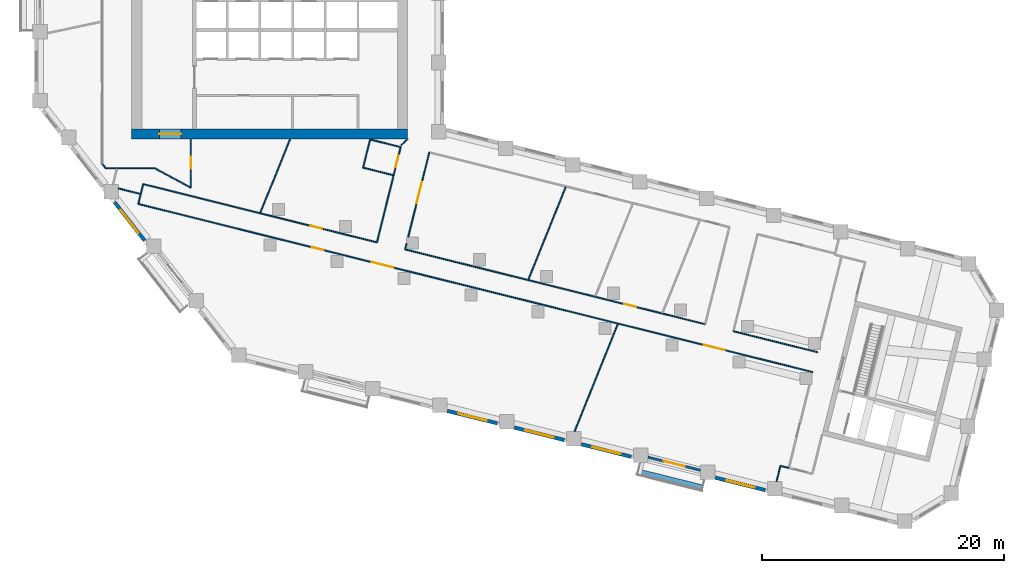
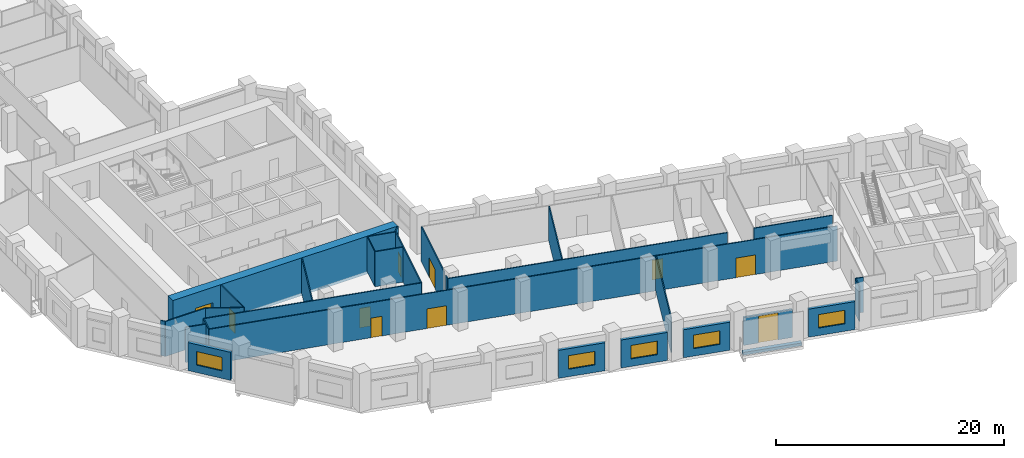
# One storey, part 3 of 10: 30 walls, 10 doors, 5 windows, 15 openings.
"""IFC4 building model written with IfcOpenShell, lengths in metres."""

import ifcopenshell
import ifcopenshell.guid

model = None  # the IFC model being written
_history = None  # IfcOwnerHistory: only IFC2X3 demands one
_inside = {}  # id of a spatial element -> (the spatial element, [elements in it])
_under = {}  # id of a project, library or spatial element -> (it, [spatial elements below it])
_declared = {}  # id of a project -> (the project, [libraries it declares])
_typed = {}  # id of a type object -> (the type object, [elements of that type])
_made_of = {}  # id of a material, layer set ... -> (it, [elements and type objects made of it])


def new_model(schema):
    """Start an empty IFC model of exactly this schema.

    Asked for "IFC4X3", IfcOpenShell would pick the latest addendum, in which some entities
    have other attributes; the version numbers below select the first issue.
    IFC2X3 requires an IfcOwnerHistory on every rooted entity: one is made here for all.
    """
    global model, _history
    if schema == "IFC4X3":
        model = ifcopenshell.file(schema_version=(4, 3, 0, 0))
    else:
        model = ifcopenshell.file(schema=schema)
    _inside.clear()
    _under.clear()
    _declared.clear()
    _typed.clear()
    _made_of.clear()
    _history = None
    if model.schema == "IFC2X3":
        org = make("IfcOrganization", Name="unknown")
        user = make(
            "IfcPersonAndOrganization",
            ThePerson=make("IfcPerson", FamilyName="unknown"),
            TheOrganization=org,
        )
        app = make(
            "IfcApplication",
            ApplicationDeveloper=org,
            Version="unknown",
            ApplicationFullName="unknown",
            ApplicationIdentifier="unknown",
        )
        _history = make(
            "IfcOwnerHistory",
            OwningUser=user,
            OwningApplication=app,
            ChangeAction="ADDED",
            CreationDate=0,
        )
    return model


def make(cls, **values):
    """One entity of the class cls with the attributes given. An attribute that is None is left unset."""
    return model.create_entity(
        cls, **{name: value for name, value in values.items() if value is not None}
    )


def rooted(cls, **values):
    """An entity with a GlobalId (a new one), such as an element, a storey or a relation."""
    return make(cls, GlobalId=ifcopenshell.guid.new(), OwnerHistory=_history, **values)


def si_unit(unit_type, name, prefix=None):
    """IfcSIUnit, for example si_unit("LENGTHUNIT", "METRE", prefix="MILLI")."""
    return make("IfcSIUnit", UnitType=unit_type, Prefix=prefix, Name=name)


def assignment(units):
    """IfcUnitAssignment: the units of a project."""
    return None if units is None else make("IfcUnitAssignment", Units=units)


def point(xyz):
    """IfcCartesianPoint."""
    return None if xyz is None else make("IfcCartesianPoint", Coordinates=xyz)


def direction(xyz):
    """IfcDirection."""
    return None if xyz is None else make("IfcDirection", DirectionRatios=xyz)


def frame(location, z_axis=None, x_axis=None):
    """IfcAxis2Placement3D, a coordinate frame: its origin and axes. An axis left out is left unset."""
    return make(
        "IfcAxis2Placement3D",
        Location=point(location),
        Axis=direction(z_axis),
        RefDirection=direction(x_axis),
    )


def frame_2d(location, x_axis=None):
    """IfcAxis2Placement2D, a coordinate frame in the plane: its origin and x axis."""
    return make(
        "IfcAxis2Placement2D", Location=point(location), RefDirection=direction(x_axis)
    )


def origin():
    """The frame at (0, 0, 0) with its axes left unset."""
    return frame((0.0, 0.0, 0.0))


def place(relative_to, where):
    """IfcLocalPlacement: puts the frame where relative to a parent placement (None: the world)."""
    return make(
        "IfcLocalPlacement", PlacementRelTo=relative_to, RelativePlacement=where
    )


def context(
    kind, dimensions, precision=None, world=None, true_north=None, identifier=None
):
    """IfcGeometricRepresentationContext, for example the 3D "Model" context."""
    return make(
        "IfcGeometricRepresentationContext",
        ContextIdentifier=identifier,
        ContextType=kind,
        CoordinateSpaceDimension=dimensions,
        Precision=precision,
        WorldCoordinateSystem=world,
        TrueNorth=true_north,
    )


def subcontext(parent, identifier, kind, view, scale=None):
    """IfcGeometricRepresentationSubContext, for example "Body" below "Model"."""
    return make(
        "IfcGeometricRepresentationSubContext",
        ContextIdentifier=identifier,
        ContextType=kind,
        ParentContext=parent,
        TargetScale=scale,
        TargetView=view,
    )


def project(units=None, contexts=None):
    """IfcProject with its units and contexts."""
    return rooted(
        "IfcProject",
        Name="project",
        RepresentationContexts=contexts,
        UnitsInContext=assignment(units),
    )


def spatial(cls, under=None, at=None, **own):
    """A site, building, storey or space (cls), placed at a placement, below another one or the project."""
    s = rooted(cls, ObjectPlacement=at, **own)
    if under is not None:
        _under.setdefault(under.id(), (under, []))[1].append(s)
    return s


def profile(cls, at=None, kind="AREA", **sizes):
    """A parametric profile (cls). Its sizes go by their IFC names, for example OverallWidth=200.0."""
    return make(cls, ProfileType=kind, Position=at, **sizes)


def rectangle(**sizes):
    """IfcRectangleProfileDef."""
    return profile("IfcRectangleProfileDef", **sizes)


def extrude(swept, where, along, depth):
    """IfcExtrudedAreaSolid: the profile swept, set in the frame where, extruded along a direction by depth."""
    return make(
        "IfcExtrudedAreaSolid",
        SweptArea=swept,
        Position=where,
        ExtrudedDirection=direction(along),
        Depth=depth,
    )


def shape(context_of_items, identifier, shape_type, items):
    """IfcShapeRepresentation: the items that make up one representation, for example the "Body"."""
    return make(
        "IfcShapeRepresentation",
        ContextOfItems=context_of_items,
        RepresentationIdentifier=identifier,
        RepresentationType=shape_type,
        Items=items,
    )


def material(Name=None, Category=None):
    """IfcMaterial."""
    return make("IfcMaterial", Name=Name, Category=Category)


def layer(
    of_material, thickness, ventilated=None, Name=None, Category=None, Priority=None
):
    """IfcMaterialLayer: one layer of a wall or slab, of a material (None: an air gap)."""
    return make(
        "IfcMaterialLayer",
        Material=of_material,
        LayerThickness=thickness,
        IsVentilated=ventilated,
        Name=Name,
        Category=Category,
        Priority=Priority,
    )


def layer_set(layers, Name=None):
    """IfcMaterialLayerSet."""
    return make("IfcMaterialLayerSet", MaterialLayers=layers, LayerSetName=Name)


def made_of(thing, what):
    """Note that an element or type object is made of a material, layer set ...; save() writes the relation."""
    if what is not None:
        _made_of.setdefault(what.id(), (what, []))[1].append(thing)
    return thing


def type_object(cls, material=None, **own):
    """A type object (cls), such as IfcWallType, which elements share."""
    return made_of(rooted(cls, **own), material)


def element(
    cls,
    number,
    at=None,
    inside=None,
    cuts=None,
    type_object=None,
    material=None,
    context=None,
    identifier="Body",
    shape_type=None,
    held_by="IfcProductDefinitionShape",
    body=None,
    shapes=None,
    **own,
):
    """One element of the class cls, such as IfcWall. Its Tag is "e" and its number.

    at: its placement. inside: the storey or other place that contains it. cuts: it is an
    opening in that element (IfcRelVoidsElement). A single representation is given by context,
    identifier, shape_type and body (its items); several are given by shapes. held_by: the class
    of the entity that holds the representations. save() writes the other relations.
    """
    e = rooted(cls, Tag="e%d" % number, ObjectPlacement=at, **own)
    if body is not None:
        shapes = [shape(context, identifier, shape_type, body)]
    if shapes is not None:
        e.Representation = make(held_by, Representations=shapes)
    if inside is not None:
        _inside.setdefault(inside.id(), (inside, []))[1].append(e)
    if cuts is not None:
        rooted(
            "IfcRelVoidsElement", RelatingBuildingElement=cuts, RelatedOpeningElement=e
        )
    if type_object is not None:
        _typed.setdefault(type_object.id(), (type_object, []))[1].append(e)
    return made_of(e, material)


def fill(opening, filler):
    """IfcRelFillsElement: the door or window that sits in an opening."""
    return rooted(
        "IfcRelFillsElement",
        RelatingOpeningElement=opening,
        RelatedBuildingElement=filler,
    )


def aggregate(whole, parts):
    """IfcRelAggregates: a whole, such as a stair, and the parts it consists of."""
    return rooted("IfcRelAggregates", RelatingObject=whole, RelatedObjects=parts)


def save(model, path):
    """Write the relations noted so far, then the file.

    IfcRelAggregates (storeys below a building ...), IfcRelContainedInSpatialStructure (elements
    in a storey), IfcRelDefinesByType, IfcRelAssociatesMaterial and IfcRelDeclares: one each for
    every whole, place, type object, material and project.
    """
    for whole, parts in _under.values():
        aggregate(whole, parts)
    for where, things in _inside.values():
        rooted(
            "IfcRelContainedInSpatialStructure",
            RelatedElements=things,
            RelatingStructure=where,
        )
    for kind, things in _typed.values():
        rooted("IfcRelDefinesByType", RelatedObjects=things, RelatingType=kind)
    for what, things in _made_of.values():
        rooted("IfcRelAssociatesMaterial", RelatedObjects=things, RelatingMaterial=what)
    for by, libraries in _declared.values():
        rooted("IfcRelDeclares", RelatingContext=by, RelatedDefinitions=libraries)
    model.write(path)


model = new_model("IFC4")

# Units and contexts
model_context = context("Model", 3, precision=1e-05, world=origin(), true_north=direction((0.0, 1.0)))
body_context = subcontext(model_context, "Body", "Model", "MODEL_VIEW")
ifc_project = project(units=[si_unit("LENGTHUNIT", "METRE"), si_unit("AREAUNIT", "SQUARE_METRE"), si_unit("VOLUMEUNIT", "CUBIC_METRE"), si_unit("PLANEANGLEUNIT", "RADIAN"), si_unit("MASSUNIT", "GRAM", prefix="KILO")], contexts=[model_context])

# Site, building, storey
site_placement = place(None, origin())
site = spatial("IfcSite", under=ifc_project, at=site_placement, CompositionType="ELEMENT")
building_placement = place(site_placement, origin())
building = spatial("IfcBuilding", under=site, at=building_placement, Name="Meshkara Civic Tower", CompositionType="ELEMENT")
storey_placement = place(building_placement, frame((0.0, 0.0, 216.0)))
storey = spatial("IfcBuildingStorey", under=building, at=storey_placement, Name="L49", CompositionType="ELEMENT", Elevation=216.0)

# Wall, opening, door
ifc_material_1 = material(Name="Concrete C70", Category="concrete")
ifc_layer_1 = layer(ifc_material_1, 0.85009765625)
ifc_layer_set_1 = layer_set([ifc_layer_1], Name="Core ring wall 850 C70")
wall_type_1 = type_object("IfcWallType", Name="Core ring wall 850 C70", PredefinedType="SHEAR", material=ifc_layer_set_1)
wall_1_placement = place(storey_placement, frame((8.0, 14.52490234375, -0.300048828125), z_axis=(0.0, 0.0, 1.0), x_axis=(1.0, 0.0, 0.0)))
wall_1 = element("IfcWall", 1, at=wall_1_placement, inside=storey, type_object=wall_type_1, Name="L49-C001", PredefinedType="SHEAR", context=body_context, shape_type="SweptSolid", body=[
    extrude(rectangle(XDim=22.800048828125, YDim=0.85009765625, at=frame_2d((11.39990234375, 0.0))), origin(), (0.0, 0.0, 1.0), 4.050048828125),
])
opening_1_placement = place(wall_1_placement, frame((2.300048828125, 0.0, 0.300048828125)))
opening_1 = element("IfcOpeningElement", 2, at=opening_1_placement, cuts=wall_1, Name="Opening L49-K021", PredefinedType="OPENING", context=body_context, shape_type="SweptSolid", body=[
    extrude(rectangle(XDim=1.800048828125, YDim=2.10009765625, at=frame_2d((0.89990234375, 1.050048828125))), frame((0.0, 0.43505859375, 0.0), z_axis=(0.0, -1.0, 0.0), x_axis=(1.0, 0.0, 0.0)), (0.0, 0.0, 1.0), 0.8701171875),
])
ifc_material_2 = material(Name="Fire-rated door leaf in steel frame", Category="steel")
door_type_1 = type_object("IfcDoorType", Name="Core double door 1800 EI 60", OperationType="DOUBLE_DOOR_SINGLE_SWING", PredefinedType="DOOR", material=ifc_material_2)
door_1_placement = place(opening_1_placement, origin())
door_1 = element("IfcDoor", 3, at=door_1_placement, inside=storey, type_object=door_type_1, Name="L49-K021", OperationType="DOUBLE_DOOR_SINGLE_SWING", OverallHeight=2.10009765625, OverallWidth=1.800048828125, PredefinedType="DOOR", context=body_context, shape_type="SweptSolid", body=[
    extrude(rectangle(XDim=1.800048828125, YDim=2.10009765625, at=frame_2d((0.89990234375, 1.050048828125))), frame((0.0, 0.02490234375, 0.0), z_axis=(0.0, -1.0, 0.0), x_axis=(1.0, 0.0, 0.0)), (0.0, 0.0, 1.0), 0.050048828125),
])
fill(opening_1, door_1)

# Walls
ifc_material_3 = material(Name="Corridor wall 100")
ifc_layer_2 = layer(ifc_material_3, 0.10009765625)
ifc_layer_set_2 = layer_set([ifc_layer_2], Name="Corridor wall 100")
wall_type_2 = type_object("IfcWallType", Name="Corridor wall 100", PredefinedType="PARTITIONING", material=ifc_layer_set_2)
wall_2_placement = place(storey_placement, frame((5.60009765625, 12.04296875, 0.0), z_axis=(0.0, 0.0, 1.0), x_axis=(0.615415398102, -0.788202948344, 0.0)))
element("IfcWall", 4, at=wall_2_placement, inside=storey, type_object=wall_type_2, Name="L49-W004", PredefinedType="PARTITIONING", context=body_context, shape_type="SweptSolid", body=[
    extrude(rectangle(XDim=0.435302734375, YDim=0.10009765625, at=frame_2d((0.2177734375, 0.0))), origin(), (0.0, 0.0, 1.0), 3.75),
])
wall_3_placement = place(storey_placement, frame((5.867919921875, 11.699951171875, 0.0), z_axis=(0.0, 0.0, 1.0), x_axis=(1.0, 0.0, 0.0)))
element("IfcWall", 5, at=wall_3_placement, inside=storey, type_object=wall_type_2, Name="L49-W006", PredefinedType="PARTITIONING", context=body_context, shape_type="SweptSolid", body=[
    extrude(rectangle(XDim=4.031982421875, YDim=0.10009765625, at=frame_2d((2.01611328125, 0.0))), origin(), (0.0, 0.0, 1.0), 3.75),
])

# Wall, openings, doors
wall_4_placement = place(storey_placement, frame((8.56494140625, 8.743896484375, 0.0), z_axis=(0.0, 0.0, 1.0), x_axis=(0.970296742948, -0.241917817915, 0.0)))
wall_4 = element("IfcWall", 6, at=wall_4_placement, inside=storey, type_object=wall_type_2, Name="L49-W008", PredefinedType="PARTITIONING", context=body_context, shape_type="SweptSolid", body=[
    extrude(rectangle(XDim=57.374267578125, YDim=0.10009765625, at=frame_2d((28.68701171875, 0.0))), origin(), (0.0, 0.0, 1.0), 3.75),
])
opening_2_placement = place(wall_4_placement, frame((48.091064453125, 0.0, 0.0)))
opening_2 = element("IfcOpeningElement", 7, at=opening_2_placement, cuts=wall_4, Name="Opening L49-D003", PredefinedType="OPENING", context=body_context, shape_type="SweptSolid", body=[
    extrude(rectangle(XDim=1.800048828125, YDim=2.10009765625, at=frame_2d((0.89990234375, 1.050048828125))), frame((0.0, 0.06005859375, 0.0), z_axis=(0.0, -1.0, 0.0), x_axis=(1.0, 0.0, 0.0)), (0.0, 0.0, 1.0), 0.1201171875),
])
opening_3_placement = place(wall_4_placement, frame((14.780029296875, 0.0, 0.0)))
opening_3 = element("IfcOpeningElement", 8, at=opening_3_placement, cuts=wall_4, Name="Opening L49-D004", PredefinedType="OPENING", context=body_context, shape_type="SweptSolid", body=[
    extrude(rectangle(XDim=1.0, YDim=2.10009765625, at=frame_2d((0.5, 1.050048828125))), frame((0.0, 0.06005859375, 0.0), z_axis=(0.0, -1.0, 0.0), x_axis=(1.0, 0.0, 0.0)), (0.0, 0.0, 1.0), 0.1201171875),
])
opening_4_placement = place(wall_4_placement, frame((19.8798828125, 0.0, 0.0)))
opening_4 = element("IfcOpeningElement", 9, at=opening_4_placement, cuts=wall_4, Name="Opening L49-D005", PredefinedType="OPENING", context=body_context, shape_type="SweptSolid", body=[
    extrude(rectangle(XDim=1.800048828125, YDim=2.10009765625, at=frame_2d((0.89990234375, 1.050048828125))), frame((0.0, 0.06005859375, 0.0), z_axis=(0.0, -1.0, 0.0), x_axis=(1.0, 0.0, 0.0)), (0.0, 0.0, 1.0), 0.1201171875),
])
ifc_material_4 = material(Name="Door 1000 x 2100")
door_type_2 = type_object("IfcDoorType", Name="Door 1000 x 2100", OperationType="SINGLE_SWING_LEFT", PredefinedType="DOOR", material=ifc_material_4)
door_2_placement = place(opening_3_placement, origin())
door_2 = element("IfcDoor", 10, at=door_2_placement, inside=storey, type_object=door_type_2, Name="L49-D004", OperationType="SINGLE_SWING_RIGHT", OverallHeight=2.10009765625, OverallWidth=1.0, PredefinedType="DOOR", context=body_context, shape_type="SweptSolid", body=[
    extrude(rectangle(XDim=1.0, YDim=2.10009765625, at=frame_2d((0.5, 1.050048828125))), frame((0.0, 0.02490234375, 0.0), z_axis=(0.0, -1.0, 0.0), x_axis=(1.0, 0.0, 0.0)), (0.0, 0.0, 1.0), 0.050048828125),
])
fill(opening_3, door_2)
ifc_material_5 = material(Name="Door pair 1800 x 2100")
door_type_3 = type_object("IfcDoorType", Name="Door pair 1800 x 2100", OperationType="SINGLE_SWING_LEFT", PredefinedType="DOOR", material=ifc_material_5)
door_3_placement = place(opening_2_placement, origin())
door_3 = element("IfcDoor", 11, at=door_3_placement, inside=storey, type_object=door_type_3, Name="L49-D003", OperationType="DOUBLE_DOOR_SINGLE_SWING", OverallHeight=2.10009765625, OverallWidth=1.800048828125, PredefinedType="DOOR", context=body_context, shape_type="SweptSolid", body=[
    extrude(rectangle(XDim=1.800048828125, YDim=2.10009765625, at=frame_2d((0.89990234375, 1.050048828125))), frame((0.0, 0.02490234375, 0.0), z_axis=(0.0, -1.0, 0.0), x_axis=(1.0, 0.0, 0.0)), (0.0, 0.0, 1.0), 0.050048828125),
])
fill(opening_2, door_3)
door_4_placement = place(opening_4_placement, origin())
door_4 = element("IfcDoor", 12, at=door_4_placement, inside=storey, type_object=door_type_3, Name="L49-D005", OperationType="DOUBLE_DOOR_SINGLE_SWING", OverallHeight=2.10009765625, OverallWidth=1.800048828125, PredefinedType="DOOR", context=body_context, shape_type="SweptSolid", body=[
    extrude(rectangle(XDim=1.800048828125, YDim=2.10009765625, at=frame_2d((0.89990234375, 1.050048828125))), frame((0.0, 0.02490234375, 0.0), z_axis=(0.0, -1.0, 0.0), x_axis=(1.0, 0.0, 0.0)), (0.0, 0.0, 1.0), 0.050048828125),
])
fill(opening_4, door_4)

# Wall, opening, door
wall_5_placement = place(storey_placement, frame((8.972900390625, 10.382080078125, 0.0), z_axis=(0.0, 0.0, 1.0), x_axis=(0.970286808807, -0.241957658808, 0.0)))
wall_5 = element("IfcWall", 13, at=wall_5_placement, inside=storey, type_object=wall_type_2, Name="L49-W009", PredefinedType="PARTITIONING", context=body_context, shape_type="SweptSolid", body=[
    extrude(rectangle(XDim=19.879638671875, YDim=0.10009765625, at=frame_2d((9.93994140625, 0.0))), origin(), (0.0, 0.0, 1.0), 3.75),
])
opening_5_placement = place(wall_5_placement, frame((14.22509765625, 0.0, 0.0)))
opening_5 = element("IfcOpeningElement", 14, at=opening_5_placement, cuts=wall_5, Name="Opening L49-D009", PredefinedType="OPENING", context=body_context, shape_type="SweptSolid", body=[
    extrude(rectangle(XDim=1.0, YDim=2.10009765625, at=frame_2d((0.5, 1.050048828125))), frame((0.0, 0.06005859375, 0.0), z_axis=(0.0, -1.0, 0.0), x_axis=(1.0, 0.0, 0.0)), (0.0, 0.0, 1.0), 0.1201171875),
])
door_5_placement = place(opening_5_placement, origin())
door_5 = element("IfcDoor", 15, at=door_5_placement, inside=storey, type_object=door_type_2, Name="L49-D009", OperationType="SINGLE_SWING_LEFT", OverallHeight=2.10009765625, OverallWidth=1.0, PredefinedType="DOOR", context=body_context, shape_type="SweptSolid", body=[
    extrude(rectangle(XDim=1.0, YDim=2.10009765625, at=frame_2d((0.5, 1.050048828125))), frame((0.0, 0.02490234375, 0.0), z_axis=(0.0, -1.0, 0.0), x_axis=(1.0, 0.0, 0.0)), (0.0, 0.0, 1.0), 0.050048828125),
])
fill(opening_5, door_5)

# Walls
wall_6_placement = place(storey_placement, frame((8.972900390625, 10.382080078125, 0.0), z_axis=(0.0, 0.0, 1.0), x_axis=(-0.241650823739, -0.970363271866, 0.0)))
element("IfcWall", 16, at=wall_6_placement, inside=storey, type_object=wall_type_2, Name="L49-W010", PredefinedType="PARTITIONING", context=body_context, shape_type="SweptSolid", body=[
    extrude(rectangle(XDim=1.688232421875, YDim=0.10009765625, at=frame_2d((0.84423828125, 0.0))), origin(), (0.0, 0.0, 1.0), 3.75),
])
wall_7_placement = place(storey_placement, frame((9.89990234375, 11.699951171875, 0.0), z_axis=(0.0, 0.0, 1.0), x_axis=(0.87965147249, -0.475618846291, 0.0)))
element("IfcWall", 17, at=wall_7_placement, inside=storey, type_object=wall_type_2, Name="L49-W011", PredefinedType="PARTITIONING", context=body_context, shape_type="SweptSolid", body=[
    extrude(rectangle(XDim=3.410400390625, YDim=0.10009765625, at=frame_2d((1.705078125, 0.0))), origin(), (0.0, 0.0, 1.0), 3.75),
])

# Wall, opening, door
wall_8_placement = place(storey_placement, frame((12.89990234375, 10.077880859375, 0.0), z_axis=(0.0, 0.0, 1.0), x_axis=(0.0, 1.0, 0.0)))
wall_8 = element("IfcWall", 18, at=wall_8_placement, inside=storey, type_object=wall_type_2, Name="L49-W016", PredefinedType="PARTITIONING", context=body_context, shape_type="SweptSolid", body=[
    extrude(rectangle(XDim=4.022216796875, YDim=0.10009765625, at=frame_2d((2.01123046875, 0.0))), origin(), (0.0, 0.0, 1.0), 3.75),
])
opening_6_placement = place(wall_8_placement, frame((1.580078125, 0.0, 0.0)))
opening_6 = element("IfcOpeningElement", 19, at=opening_6_placement, cuts=wall_8, Name="Opening L49-D013", PredefinedType="OPENING", context=body_context, shape_type="SweptSolid", body=[
    extrude(rectangle(XDim=1.0, YDim=2.10009765625, at=frame_2d((0.5, 1.050048828125))), frame((0.0, 0.06005859375, 0.0), z_axis=(0.0, -1.0, 0.0), x_axis=(1.0, 0.0, 0.0)), (0.0, 0.0, 1.0), 0.1201171875),
])
door_6_placement = place(opening_6_placement, origin())
door_6 = element("IfcDoor", 20, at=door_6_placement, inside=storey, type_object=door_type_2, Name="L49-D013", OperationType="SINGLE_SWING_LEFT", OverallHeight=2.10009765625, OverallWidth=1.0, PredefinedType="DOOR", context=body_context, shape_type="SweptSolid", body=[
    extrude(rectangle(XDim=1.0, YDim=2.10009765625, at=frame_2d((0.5, 1.050048828125))), frame((0.0, 0.02490234375, 0.0), z_axis=(0.0, -1.0, 0.0), x_axis=(1.0, 0.0, 0.0)), (0.0, 0.0, 1.0), 0.050048828125),
])
fill(opening_6, door_6)

wall_9_placement = place(storey_placement, frame((28.261962890625, 5.572021484375, 0.0), z_axis=(0.0, 0.0, 1.0), x_axis=(0.241919014237, 0.970296444676, 0.0)))
wall_9 = element("IfcWall", 21, at=wall_9_placement, inside=storey, type_object=wall_type_2, Name="L49-W026", PredefinedType="PARTITIONING", context=body_context, shape_type="SweptSolid", body=[
    extrude(rectangle(XDim=8.105712890625, YDim=0.10009765625, at=frame_2d((4.052734375, 0.0))), origin(), (0.0, 0.0, 1.0), 3.75),
])
opening_7_placement = place(wall_9_placement, frame((6.385986328125, 0.0, 0.0)))
opening_7 = element("IfcOpeningElement", 22, at=opening_7_placement, cuts=wall_9, Name="Opening L49-D014", PredefinedType="OPENING", context=body_context, shape_type="SweptSolid", body=[
    extrude(rectangle(XDim=1.0, YDim=2.10009765625, at=frame_2d((0.5, 1.050048828125))), frame((0.0, 0.06005859375, 0.0), z_axis=(0.0, -1.0, 0.0), x_axis=(1.0, 0.0, 0.0)), (0.0, 0.0, 1.0), 0.1201171875),
])
door_7_placement = place(opening_7_placement, origin())
door_7 = element("IfcDoor", 23, at=door_7_placement, inside=storey, type_object=door_type_2, Name="L49-D014", OperationType="SINGLE_SWING_LEFT", OverallHeight=2.10009765625, OverallWidth=1.0, PredefinedType="DOOR", context=body_context, shape_type="SweptSolid", body=[
    extrude(rectangle(XDim=1.0, YDim=2.10009765625, at=frame_2d((0.5, 1.050048828125))), frame((0.0, 0.02490234375, 0.0), z_axis=(0.0, -1.0, 0.0), x_axis=(1.0, 0.0, 0.0)), (0.0, 0.0, 1.0), 0.050048828125),
])
fill(opening_7, door_7)

wall_10_placement = place(storey_placement, frame((30.590087890625, 4.991943359375, 0.0), z_axis=(0.0, 0.0, 1.0), x_axis=(0.97028916255, -0.241948219746, 0.0)))
wall_10 = element("IfcWall", 24, at=wall_10_placement, inside=storey, type_object=wall_type_2, Name="L49-W028", PredefinedType="PARTITIONING", context=body_context, shape_type="SweptSolid", body=[
    extrude(rectangle(XDim=25.526123046875, YDim=0.10009765625, at=frame_2d((12.76318359375, 0.0))), origin(), (0.0, 0.0, 1.0), 3.75),
])
opening_8_placement = place(wall_10_placement, frame((18.64599609375, 0.0, 0.0)))
opening_8 = element("IfcOpeningElement", 25, at=opening_8_placement, cuts=wall_10, Name="Opening L49-D006", PredefinedType="OPENING", context=body_context, shape_type="SweptSolid", body=[
    extrude(rectangle(XDim=1.0, YDim=2.10009765625, at=frame_2d((0.5, 1.050048828125))), frame((0.0, 0.06005859375, 0.0), z_axis=(0.0, -1.0, 0.0), x_axis=(1.0, 0.0, 0.0)), (0.0, 0.0, 1.0), 0.1201171875),
])
door_8_placement = place(opening_8_placement, origin())
door_8 = element("IfcDoor", 26, at=door_8_placement, inside=storey, type_object=door_type_2, Name="L49-D006", OperationType="SINGLE_SWING_RIGHT", OverallHeight=2.10009765625, OverallWidth=1.0, PredefinedType="DOOR", context=body_context, shape_type="SweptSolid", body=[
    extrude(rectangle(XDim=1.0, YDim=2.10009765625, at=frame_2d((0.5, 1.050048828125))), frame((0.0, 0.02490234375, 0.0), z_axis=(0.0, -1.0, 0.0), x_axis=(1.0, 0.0, 0.0)), (0.0, 0.0, 1.0), 0.050048828125),
])
fill(opening_8, door_8)

# Walls
wall_11_placement = place(storey_placement, frame((30.590087890625, 4.991943359375, 0.0), z_axis=(0.0, 0.0, 1.0), x_axis=(0.241731207299, 0.970343250308, 0.0)))
element("IfcWall", 27, at=wall_11_placement, inside=storey, type_object=wall_type_2, Name="L49-W029", PredefinedType="PARTITIONING", context=body_context, shape_type="SweptSolid", body=[
    extrude(rectangle(XDim=0.5, YDim=0.10009765625, at=frame_2d((0.25, 0.0))), origin(), (0.0, 0.0, 1.0), 3.75),
])
wall_12_placement = place(storey_placement, frame((30.800048828125, 14.10009765625, 0.0), z_axis=(0.0, 0.0, 1.0), x_axis=(-0.722911025189, -0.690941133281, 0.0)))
element("IfcWall", 28, at=wall_12_placement, inside=storey, type_object=wall_type_2, Name="L49-W030", PredefinedType="PARTITIONING", context=body_context, shape_type="SweptSolid", body=[
    extrude(rectangle(XDim=0.748291015625, YDim=0.10009765625, at=frame_2d((0.3740234375, 0.0))), origin(), (0.0, 0.0, 1.0), 3.75),
])

# Wall, opening, door
wall_13_placement = place(storey_placement, frame((30.844970703125, 6.012939453125, 0.0), z_axis=(0.0, 0.0, 1.0), x_axis=(0.241969354343, 0.97028389225, 0.0)))
wall_13 = element("IfcWall", 29, at=wall_13_placement, inside=storey, type_object=wall_type_2, Name="L49-W031", PredefinedType="PARTITIONING", context=body_context, shape_type="SweptSolid", body=[
    extrude(rectangle(XDim=7.203125, YDim=0.10009765625, at=frame_2d((3.6015625, 0.0))), origin(), (0.0, 0.0, 1.0), 3.75),
])
opening_9_placement = place(wall_13_placement, frame((2.8798828125, 0.0, 0.0)))
opening_9 = element("IfcOpeningElement", 30, at=opening_9_placement, cuts=wall_13, Name="Opening L49-D010", PredefinedType="OPENING", context=body_context, shape_type="SweptSolid", body=[
    extrude(rectangle(XDim=1.800048828125, YDim=2.10009765625, at=frame_2d((0.89990234375, 1.050048828125))), frame((0.0, 0.06005859375, 0.0), z_axis=(0.0, -1.0, 0.0), x_axis=(1.0, 0.0, 0.0)), (0.0, 0.0, 1.0), 0.1201171875),
])
door_9_placement = place(opening_9_placement, origin())
door_9 = element("IfcDoor", 31, at=door_9_placement, inside=storey, type_object=door_type_3, Name="L49-D010", OperationType="DOUBLE_DOOR_SINGLE_SWING", OverallHeight=2.10009765625, OverallWidth=1.800048828125, PredefinedType="DOOR", context=body_context, shape_type="SweptSolid", body=[
    extrude(rectangle(XDim=1.800048828125, YDim=2.10009765625, at=frame_2d((0.89990234375, 1.050048828125))), frame((0.0, 0.02490234375, 0.0), z_axis=(0.0, -1.0, 0.0), x_axis=(1.0, 0.0, 0.0)), (0.0, 0.0, 1.0), 0.050048828125),
])
fill(opening_9, door_9)

# Wall
wall_14_placement = place(storey_placement, frame((64.64404296875, -3.4990234375, 0.0), z_axis=(0.0, 0.0, 1.0), x_axis=(-0.970278545738, 0.241990792552, 0.0)))
element("IfcWall", 32, at=wall_14_placement, inside=storey, type_object=wall_type_2, Name="L49-W039", PredefinedType="PARTITIONING", context=body_context, shape_type="SweptSolid", body=[
    extrude(rectangle(XDim=7.170166015625, YDim=0.10009765625, at=frame_2d((3.5849609375, 0.0))), origin(), (0.0, 0.0, 1.0), 3.75),
])

# Wall, opening, window
ifc_material_6 = material(Name="Insulated infill panel with bronze anodised aluminium cladding", Category="aluminium")
ifc_layer_3 = layer(ifc_material_6, 0.300048828125)
ifc_layer_set_3 = layer_set([ifc_layer_3], Name="EXTERNAL INFILL WALL 300")
wall_type_3 = type_object("IfcWallType", Name="EXTERNAL INFILL WALL 300", PredefinedType="SOLIDWALL", material=ifc_layer_set_3)
wall_15_placement = place(storey_placement, frame((6.60498046875, 8.888916015625, 0.0), z_axis=(0.0, 0.0, 1.0), x_axis=(0.615706559089, -0.787975528233, 0.0)))
wall_15 = element("IfcWall", 33, at=wall_15_placement, inside=storey, type_object=wall_type_3, Name="External wall", PredefinedType="SOLIDWALL", context=body_context, shape_type="SweptSolid", body=[
    extrude(rectangle(XDim=4.016357421875, YDim=0.300048828125, at=frame_2d((2.00830078125, 0.0))), origin(), (0.0, 0.0, 1.0), 3.0),
])
opening_10_placement = place(wall_15_placement, frame((0.80810546875, 0.0, 0.800048828125)))
opening_10 = element("IfcOpeningElement", 34, at=opening_10_placement, cuts=wall_15, Name="Opening W8", PredefinedType="OPENING", context=body_context, shape_type="SweptSolid", body=[
    extrude(rectangle(XDim=2.39990234375, YDim=1.449951171875, at=frame_2d((1.199951171875, 0.72509765625))), frame((0.0, 0.159912109375, 0.0), z_axis=(0.0, -1.0, 0.0), x_axis=(1.0, 0.0, 0.0)), (0.0, 0.0, 1.0), 0.320068359375),
])
ifc_material_7 = material(Name="Tinted double glazing", Category="glass")
window_type = type_object("IfcWindowType", Name="WINDOW 2400x1450", PartitioningType="DOUBLE_PANEL_VERTICAL", PredefinedType="WINDOW", material=ifc_material_7)
window_1_placement = place(opening_10_placement, origin())
window_1 = element("IfcWindow", 35, at=window_1_placement, inside=storey, type_object=window_type, Name="Window", OverallHeight=1.449951171875, OverallWidth=2.39990234375, PartitioningType="DOUBLE_PANEL_VERTICAL", PredefinedType="WINDOW", context=body_context, shape_type="SweptSolid", body=[
    extrude(rectangle(XDim=2.39990234375, YDim=1.449951171875, at=frame_2d((1.199951171875, 0.72509765625))), frame((0.0, 0.030029296875, 0.0), z_axis=(0.0, -1.0, 0.0), x_axis=(1.0, 0.0, 0.0)), (0.0, 0.0, 1.0), 0.06005859375),
])
fill(opening_10, window_1)

wall_16_placement = place(storey_placement, frame((34.075927734375, -8.342041015625, 0.0), z_axis=(0.0, 0.0, 1.0), x_axis=(0.970318118028, -0.241832069473, 0.0)))
wall_16 = element("IfcWall", 36, at=wall_16_placement, inside=storey, type_object=wall_type_3, Name="External wall", PredefinedType="SOLIDWALL", context=body_context, shape_type="SweptSolid", body=[
    extrude(rectangle(XDim=4.24609375, YDim=0.300048828125, at=frame_2d((2.123046875, 0.0))), origin(), (0.0, 0.0, 1.0), 3.0),
])
opening_11_placement = place(wall_16_placement, frame((0.923095703125, 0.0, 0.800048828125)))
opening_11 = element("IfcOpeningElement", 37, at=opening_11_placement, cuts=wall_16, Name="Opening W8", PredefinedType="OPENING", context=body_context, shape_type="SweptSolid", body=[
    extrude(rectangle(XDim=2.39990234375, YDim=1.449951171875, at=frame_2d((1.199951171875, 0.72509765625))), frame((0.0, 0.159912109375, 0.0), z_axis=(0.0, -1.0, 0.0), x_axis=(1.0, 0.0, 0.0)), (0.0, 0.0, 1.0), 0.320068359375),
])
window_2_placement = place(opening_11_placement, origin())
window_2 = element("IfcWindow", 38, at=window_2_placement, inside=storey, type_object=window_type, Name="Window", OverallHeight=1.449951171875, OverallWidth=2.39990234375, PartitioningType="DOUBLE_PANEL_VERTICAL", PredefinedType="WINDOW", context=body_context, shape_type="SweptSolid", body=[
    extrude(rectangle(XDim=2.39990234375, YDim=1.449951171875, at=frame_2d((1.199951171875, 0.72509765625))), frame((0.0, 0.030029296875, 0.0), z_axis=(0.0, -1.0, 0.0), x_axis=(1.0, 0.0, 0.0)), (0.0, 0.0, 1.0), 0.06005859375),
])
fill(opening_11, window_2)

wall_17_placement = place(storey_placement, frame((39.60693359375, -9.719970703125, 0.0), z_axis=(0.0, 0.0, 1.0), x_axis=(0.970250625545, -0.242102712975, 0.0)))
wall_17 = element("IfcWall", 39, at=wall_17_placement, inside=storey, type_object=wall_type_3, Name="External wall", PredefinedType="SOLIDWALL", context=body_context, shape_type="SweptSolid", body=[
    extrude(rectangle(XDim=4.246337890625, YDim=0.300048828125, at=frame_2d((2.123046875, 0.0))), origin(), (0.0, 0.0, 1.0), 3.0),
])
opening_12_placement = place(wall_17_placement, frame((0.923095703125, 0.0, 0.800048828125)))
opening_12 = element("IfcOpeningElement", 40, at=opening_12_placement, cuts=wall_17, Name="Opening W8", PredefinedType="OPENING", context=body_context, shape_type="SweptSolid", body=[
    extrude(rectangle(XDim=2.39990234375, YDim=1.449951171875, at=frame_2d((1.199951171875, 0.72509765625))), frame((0.0, 0.159912109375, 0.0), z_axis=(0.0, -1.0, 0.0), x_axis=(1.0, 0.0, 0.0)), (0.0, 0.0, 1.0), 0.320068359375),
])
window_3_placement = place(opening_12_placement, origin())
window_3 = element("IfcWindow", 41, at=window_3_placement, inside=storey, type_object=window_type, Name="Window", OverallHeight=1.449951171875, OverallWidth=2.39990234375, PartitioningType="DOUBLE_PANEL_VERTICAL", PredefinedType="WINDOW", context=body_context, shape_type="SweptSolid", body=[
    extrude(rectangle(XDim=2.39990234375, YDim=1.449951171875, at=frame_2d((1.199951171875, 0.72509765625))), frame((0.0, 0.030029296875, 0.0), z_axis=(0.0, -1.0, 0.0), x_axis=(1.0, 0.0, 0.0)), (0.0, 0.0, 1.0), 0.06005859375),
])
fill(opening_12, window_3)

wall_18_placement = place(storey_placement, frame((45.137939453125, -11.09912109375, 0.0), z_axis=(0.0, 0.0, 1.0), x_axis=(0.970304663212, -0.241886048688, 0.0)))
wall_18 = element("IfcWall", 42, at=wall_18_placement, inside=storey, type_object=wall_type_3, Name="External wall", PredefinedType="SOLIDWALL", context=body_context, shape_type="SweptSolid", body=[
    extrude(rectangle(XDim=4.2451171875, YDim=0.300048828125, at=frame_2d((2.12255859375, 0.0))), origin(), (0.0, 0.0, 1.0), 3.0),
])
opening_13_placement = place(wall_18_placement, frame((0.922119140625, 0.0, 0.800048828125)))
opening_13 = element("IfcOpeningElement", 43, at=opening_13_placement, cuts=wall_18, Name="Opening W8", PredefinedType="OPENING", context=body_context, shape_type="SweptSolid", body=[
    extrude(rectangle(XDim=2.39990234375, YDim=1.449951171875, at=frame_2d((1.199951171875, 0.72509765625))), frame((0.0, 0.159912109375, 0.0), z_axis=(0.0, -1.0, 0.0), x_axis=(1.0, 0.0, 0.0)), (0.0, 0.0, 1.0), 0.320068359375),
])
window_4_placement = place(opening_13_placement, origin())
window_4 = element("IfcWindow", 44, at=window_4_placement, inside=storey, type_object=window_type, Name="Window", OverallHeight=1.449951171875, OverallWidth=2.39990234375, PartitioningType="DOUBLE_PANEL_VERTICAL", PredefinedType="WINDOW", context=body_context, shape_type="SweptSolid", body=[
    extrude(rectangle(XDim=2.39990234375, YDim=1.449951171875, at=frame_2d((1.199951171875, 0.72509765625))), frame((0.0, 0.030029296875, 0.0), z_axis=(0.0, -1.0, 0.0), x_axis=(1.0, 0.0, 0.0)), (0.0, 0.0, 1.0), 0.06005859375),
])
fill(opening_13, window_4)

wall_19_placement = place(storey_placement, frame((56.198974609375, -13.85693359375, 0.0), z_axis=(0.0, 0.0, 1.0), x_axis=(0.97030462482, -0.241886202691, 0.0)))
wall_19 = element("IfcWall", 45, at=wall_19_placement, inside=storey, type_object=wall_type_3, Name="External wall", PredefinedType="SOLIDWALL", context=body_context, shape_type="SweptSolid", body=[
    extrude(rectangle(XDim=4.24609375, YDim=0.300048828125, at=frame_2d((2.123046875, 0.0))), origin(), (0.0, 0.0, 1.0), 3.0),
])
opening_14_placement = place(wall_19_placement, frame((0.923095703125, 0.0, 0.800048828125)))
opening_14 = element("IfcOpeningElement", 46, at=opening_14_placement, cuts=wall_19, Name="Opening W8", PredefinedType="OPENING", context=body_context, shape_type="SweptSolid", body=[
    extrude(rectangle(XDim=2.39990234375, YDim=1.449951171875, at=frame_2d((1.199951171875, 0.72509765625))), frame((0.0, 0.159912109375, 0.0), z_axis=(0.0, -1.0, 0.0), x_axis=(1.0, 0.0, 0.0)), (0.0, 0.0, 1.0), 0.320068359375),
])
window_5_placement = place(opening_14_placement, origin())
window_5 = element("IfcWindow", 47, at=window_5_placement, inside=storey, type_object=window_type, Name="Window", OverallHeight=1.449951171875, OverallWidth=2.39990234375, PartitioningType="DOUBLE_PANEL_VERTICAL", PredefinedType="WINDOW", context=body_context, shape_type="SweptSolid", body=[
    extrude(rectangle(XDim=2.39990234375, YDim=1.449951171875, at=frame_2d((1.199951171875, 0.72509765625))), frame((0.0, 0.030029296875, 0.0), z_axis=(0.0, -1.0, 0.0), x_axis=(1.0, 0.0, 0.0)), (0.0, 0.0, 1.0), 0.06005859375),
])
fill(opening_14, window_5)

# Wall, opening, door
ifc_material_8 = material(Name="Insulated infill panel with bronze anodised aluminium cladding", Category="aluminium")
ifc_layer_4 = layer(ifc_material_8, 0.199951171875)
ifc_layer_set_4 = layer_set([ifc_layer_4], Name="LOGGIA BACK WALL 200")
wall_type_4 = type_object("IfcWallType", Name="LOGGIA BACK WALL 200", PredefinedType="SOLIDWALL", material=ifc_layer_set_4)
wall_20_placement = place(storey_placement, frame((50.635009765625, -12.160888671875, 0.0), z_axis=(0.0, 0.0, 1.0), x_axis=(0.970335243139, -0.241763346938, 0.0)))
wall_20 = element("IfcWall", 48, at=wall_20_placement, inside=storey, type_object=wall_type_4, Name="Loggia wall", PredefinedType="SOLIDWALL", context=body_context, shape_type="SweptSolid", body=[
    extrude(rectangle(XDim=4.46337890625, YDim=0.199951171875, at=frame_2d((2.231689453125, 0.0))), origin(), (0.0, 0.0, 1.0), 3.0),
])
opening_15_placement = place(wall_20_placement, frame((1.3310546875, 0.0, 0.0)))
opening_15 = element("IfcOpeningElement", 49, at=opening_15_placement, cuts=wall_20, Name="Opening L49-L005", PredefinedType="OPENING", context=body_context, shape_type="SweptSolid", body=[
    extrude(rectangle(XDim=1.800048828125, YDim=2.89990234375, at=frame_2d((0.89990234375, 1.449951171875))), frame((0.0, 0.10986328125, 0.0), z_axis=(0.0, -1.0, 0.0), x_axis=(1.0, 0.0, 0.0)), (0.0, 0.0, 1.0), 0.219970703125),
])
ifc_material_9 = material(Name="Tinted double glazing", Category="glass")
door_type_4 = type_object("IfcDoorType", Name="LOGGIA DOOR 1800x2900", OperationType="DOUBLE_DOOR_SINGLE_SWING", PredefinedType="DOOR", material=ifc_material_9)
door_10_placement = place(opening_15_placement, origin())
door_10 = element("IfcDoor", 50, at=door_10_placement, inside=storey, type_object=door_type_4, Name="L49-L005", OperationType="DOUBLE_DOOR_SINGLE_SWING", OverallHeight=2.89990234375, OverallWidth=1.800048828125, PredefinedType="DOOR", context=body_context, shape_type="SweptSolid", body=[
    extrude(rectangle(XDim=1.800048828125, YDim=2.89990234375, at=frame_2d((0.89990234375, 1.449951171875))), frame((0.0, 0.02490234375, 0.0), z_axis=(0.0, -1.0, 0.0), x_axis=(1.0, 0.0, 0.0)), (0.0, 0.0, 1.0), 0.050048828125),
])
fill(opening_15, door_10)

# Walls
ifc_material_10 = material(Name="Concrete C40", Category="concrete")
ifc_layer_5 = layer(ifc_material_10, 0.39990234375)
ifc_layer_set_5 = layer_set([ifc_layer_5], Name="PLANTER TRAY")
wall_type_5 = type_object("IfcWallType", Name="PLANTER TRAY", PredefinedType="SOLIDWALL", material=ifc_layer_set_5)
wall_21_placement = place(storey_placement, frame((49.8779296875, -13.343017578125, 0.0), z_axis=(0.0, 0.0, 1.0), x_axis=(0.970335098585, -0.241763927116, 0.0)))
element("IfcWall", 51, at=wall_21_placement, inside=storey, type_object=wall_type_5, Name="Planter", PredefinedType="SOLIDWALL", context=body_context, shape_type="SweptSolid", body=[
    extrude(rectangle(XDim=5.360107421875, YDim=0.39990234375, at=frame_2d((2.68017578125, 0.0))), origin(), (0.0, 0.0, 1.0), 0.300048828125),
])
ifc_material_11 = material(Name="Partition 100")
ifc_layer_6 = layer(ifc_material_11, 0.10009765625)
ifc_layer_set_6 = layer_set([ifc_layer_6], Name="Partition 100")
wall_type_6 = type_object("IfcWallType", Name="Partition 100", PredefinedType="PARTITIONING", material=ifc_layer_set_6)
wall_22_placement = place(storey_placement, frame((8.719970703125, 9.573974609375, 0.0), z_axis=(0.0, 0.0, 1.0), x_axis=(-0.97017350799, 0.242411559945, 0.0)))
element("IfcWall", 52, at=wall_22_placement, inside=storey, type_object=wall_type_6, Name="L49-W049", PredefinedType="PARTITIONING", context=body_context, shape_type="SweptSolid", body=[
    extrude(rectangle(XDim=1.85205078125, YDim=0.10009765625, at=frame_2d((0.926025390625, 0.0))), origin(), (0.0, 0.0, 1.0), 3.75),
])
wall_23_placement = place(storey_placement, frame((18.64501953125, 8.029052734375, 0.0), z_axis=(0.0, 0.0, 1.0), x_axis=(0.374480928684, 0.927234616509, 0.0)))
element("IfcWall", 53, at=wall_23_placement, inside=storey, type_object=wall_type_6, Name="L49-W051", PredefinedType="PARTITIONING", context=body_context, shape_type="SweptSolid", body=[
    extrude(rectangle(XDim=6.54736328125, YDim=0.10009765625, at=frame_2d((3.273681640625, 0.0))), origin(), (0.0, 0.0, 1.0), 3.75),
])
wall_24_placement = place(storey_placement, frame((27.118896484375, 11.738037109375, 0.0), z_axis=(0.0, 0.0, 1.0), x_axis=(0.242176473756, 0.970232217337, 0.0)))
element("IfcWall", 54, at=wall_24_placement, inside=storey, type_object=wall_type_6, Name="L49-W053", PredefinedType="PARTITIONING", context=body_context, shape_type="SweptSolid", body=[
    extrude(rectangle(XDim=2.3994140625, YDim=0.10009765625, at=frame_2d((1.19970703125, 0.0))), origin(), (0.0, 0.0, 1.0), 3.75),
])
wall_25_placement = place(storey_placement, frame((27.699951171875, 14.06591796875, 0.0), z_axis=(0.0, 0.0, 1.0), x_axis=(0.970307970296, -0.241872782222, 0.0)))
element("IfcWall", 55, at=wall_25_placement, inside=storey, type_object=wall_type_6, Name="L49-W054", PredefinedType="PARTITIONING", context=body_context, shape_type="SweptSolid", body=[
    extrude(rectangle(XDim=2.60009765625, YDim=0.10009765625, at=frame_2d((1.300048828125, 0.0))), origin(), (0.0, 0.0, 1.0), 3.75),
])
wall_26_placement = place(storey_placement, frame((29.593994140625, 11.12109375, 0.0), z_axis=(0.0, 0.0, 1.0), x_axis=(-0.970311165457, 0.241859964008, 0.0)))
element("IfcWall", 56, at=wall_26_placement, inside=storey, type_object=wall_type_6, Name="L49-W055", PredefinedType="PARTITIONING", context=body_context, shape_type="SweptSolid", body=[
    extrude(rectangle(XDim=2.55078125, YDim=0.10009765625, at=frame_2d((1.275390625, 0.0))), origin(), (0.0, 0.0, 1.0), 3.75),
])
wall_27_placement = place(storey_placement, frame((40.76708984375, 2.512939453125, 0.0), z_axis=(0.0, 0.0, 1.0), x_axis=(0.374598555376, 0.927187102105, 0.0)))
element("IfcWall", 57, at=wall_27_placement, inside=storey, type_object=wall_type_6, Name="L49-W056", PredefinedType="PARTITIONING", context=body_context, shape_type="SweptSolid", body=[
    extrude(rectangle(XDim=8.2216796875, YDim=0.10009765625, at=frame_2d((4.11083984375, 0.0))), origin(), (0.0, 0.0, 1.0), 3.75),
])
wall_28_placement = place(storey_placement, frame((44.574951171875, -10.031982421875, 0.0), z_axis=(0.0, 0.0, 1.0), x_axis=(0.374569235554, 0.927198947247, 0.0)))
element("IfcWall", 58, at=wall_28_placement, inside=storey, type_object=wall_type_6, Name="L49-W057", PredefinedType="PARTITIONING", context=body_context, shape_type="SweptSolid", body=[
    extrude(rectangle(XDim=9.54150390625, YDim=0.10009765625, at=frame_2d((4.770751953125, 0.0))), origin(), (0.0, 0.0, 1.0), 3.75),
])
wall_29_placement = place(storey_placement, frame((61.2470703125, -14.1689453125, 0.0), z_axis=(0.0, 0.0, 1.0), x_axis=(0.241845285879, 0.970314824012, 0.0)))
element("IfcWall", 59, at=wall_29_placement, inside=storey, type_object=wall_type_6, Name="L49-W060", PredefinedType="PARTITIONING", context=body_context, shape_type="SweptSolid", body=[
    extrude(rectangle(XDim=1.33154296875, YDim=0.10009765625, at=frame_2d((0.665771484375, 0.0))), origin(), (0.0, 0.0, 1.0), 3.75),
])
wall_30_placement = place(storey_placement, frame((61.569091796875, -12.876953125, 0.0), z_axis=(0.0, 0.0, 1.0), x_axis=(0.970202439735, -0.242295740641, 0.0)))
element("IfcWall", 60, at=wall_30_placement, inside=storey, type_object=wall_type_6, Name="L49-W061", PredefinedType="PARTITIONING", context=body_context, shape_type="SweptSolid", body=[
    extrude(rectangle(XDim=0.718505859375, YDim=0.10009765625, at=frame_2d((0.359375, 0.0))), origin(), (0.0, 0.0, 1.0), 3.75),
])

save(model, "model.ifc")
